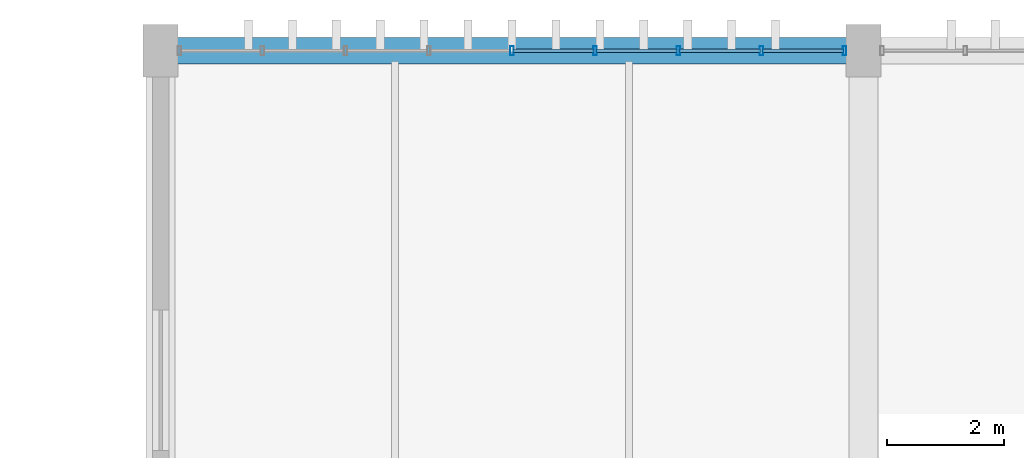
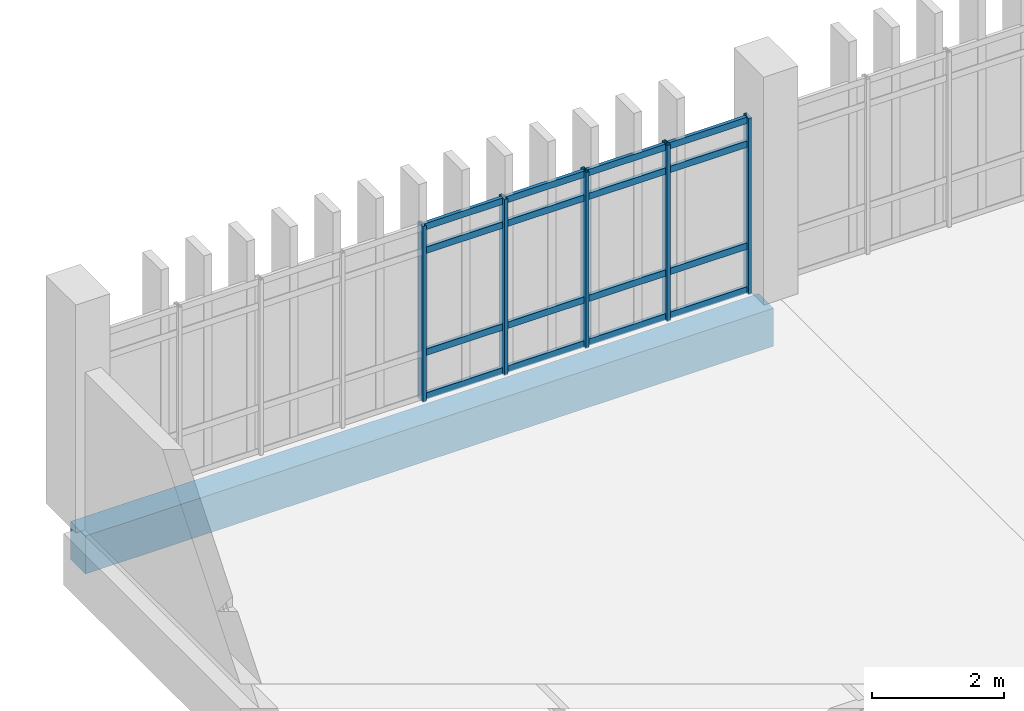
# One storey, part 30 of 111: 21 members, 1 beam, 1 element without a shape of its own.
"""IFC4 building model written with IfcOpenShell, lengths in metres."""

from ifc_helpers import new_model, si_unit, direction, frame, origin, origin_2d, place, context, subcontext, project, spatial, rectangle, hollow_rectangle, extrude, material, layer, layer_set, material_profile, profile_set, type_object, element, aggregate, save


model = new_model("IFC4")

# Units and contexts
model_context = context("Model", 3, precision=1e-05, world=origin(), true_north=direction((0.0, 1.0)))
body_context = subcontext(model_context, "Body", "Model", "MODEL_VIEW")
ifc_project = project(units=[si_unit("LENGTHUNIT", "METRE"), si_unit("AREAUNIT", "SQUARE_METRE"), si_unit("VOLUMEUNIT", "CUBIC_METRE"), si_unit("PLANEANGLEUNIT", "RADIAN"), si_unit("MASSUNIT", "GRAM", prefix="KILO")], contexts=[model_context])

# Site, building, storey
site_placement = place(None, origin())
site = spatial("IfcSite", under=ifc_project, at=site_placement, CompositionType="ELEMENT")
building_placement = place(site_placement, origin())
building = spatial("IfcBuilding", under=site, at=building_placement, Name="Mersad Railyard Sports Hall", CompositionType="ELEMENT")
storey_placement = place(building_placement, frame((0.0, 0.0, 9.0)))
storey = spatial("IfcBuildingStorey", under=building, at=storey_placement, Name="L02", CompositionType="ELEMENT", Elevation=9.0)

# Curtain wall, members
ifc_material_1 = material(Name="Aluminium 6063-T6", Category="aluminium")
ifc_layer = layer(ifc_material_1, 0.159912109375)
ifc_layer_set = layer_set([ifc_layer], Name="Aluminium 6063-T6")
curtain_wall_type = type_object("IfcCurtainWallType", Name="ARC-CW-CW52", PredefinedType="USERDEFINED", material=ifc_layer_set)
curtain_wall_placement = place(storey_placement, origin())
curtain_wall = element("IfcCurtainWall", 1, at=curtain_wall_placement, inside=storey, type_object=curtain_wall_type, Name="Curtain wall CW52-0138", ObjectType="CURTAIN WALL", PredefinedType="USERDEFINED")
ifc_material_profile_1 = material_profile(ifc_material_1, hollow_rectangle(XDim=0.06005859375, YDim=0.159912109375, WallThickness=0.00390625, at=origin_2d()), Name="AL MULLION 60x160x4")
ifc_profile_set_1 = profile_set([ifc_material_profile_1], Name="Aluminium 6063-T6")
member_type_1 = type_object("IfcMemberType", Name="ARC-CW-MUL01", PredefinedType="MULLION", material=ifc_profile_set_1)
member_1_placement = place(storey_placement, frame((49.0, 115.0, -0.02001953125), z_axis=(0.0, 0.0, 1.0), x_axis=(1.0, 0.0, 0.0)))
member_1 = element("IfcMember", 2, at=member_1_placement, type_object=member_type_1, Name="CW52 Mullion 5", PredefinedType="MULLION", context=body_context, shape_type="SweptSolid", body=[
    extrude(hollow_rectangle(XDim=0.06005859375, YDim=0.159912109375, WallThickness=0.00390625, at=origin_2d()), origin(), (0.0, 0.0, 1.0), 3.25),
])
member_2_placement = place(storey_placement, frame((50.419921875, 115.0, -0.02001953125), z_axis=(0.0, 0.0, 1.0), x_axis=(1.0, 0.0, 0.0)))
member_2 = element("IfcMember", 3, at=member_2_placement, type_object=member_type_1, Name="CW52 Mullion 6", PredefinedType="MULLION", context=body_context, shape_type="SweptSolid", body=[
    extrude(hollow_rectangle(XDim=0.06005859375, YDim=0.159912109375, WallThickness=0.00390625, at=origin_2d()), origin(), (0.0, 0.0, 1.0), 3.25),
])
member_3_placement = place(storey_placement, frame((51.840087890625, 115.0, -0.02001953125), z_axis=(0.0, 0.0, 1.0), x_axis=(1.0, 0.0, 0.0)))
member_3 = element("IfcMember", 4, at=member_3_placement, type_object=member_type_1, Name="CW52 Mullion 7", PredefinedType="MULLION", context=body_context, shape_type="SweptSolid", body=[
    extrude(hollow_rectangle(XDim=0.06005859375, YDim=0.159912109375, WallThickness=0.00390625, at=origin_2d()), origin(), (0.0, 0.0, 1.0), 3.25),
])
member_4_placement = place(storey_placement, frame((53.260009765625, 115.0, -0.02001953125), z_axis=(0.0, 0.0, 1.0), x_axis=(1.0, 0.0, 0.0)))
member_4 = element("IfcMember", 5, at=member_4_placement, type_object=member_type_1, Name="CW52 Mullion 8", PredefinedType="MULLION", context=body_context, shape_type="SweptSolid", body=[
    extrude(hollow_rectangle(XDim=0.06005859375, YDim=0.159912109375, WallThickness=0.00390625, at=origin_2d()), origin(), (0.0, 0.0, 1.0), 3.25),
])
member_5_placement = place(storey_placement, frame((54.679931640625, 115.0, -0.02001953125), z_axis=(0.0, 0.0, 1.0), x_axis=(1.0, 0.0, 0.0)))
member_5 = element("IfcMember", 6, at=member_5_placement, type_object=member_type_1, Name="CW52 Mullion 9", PredefinedType="MULLION", context=body_context, shape_type="SweptSolid", body=[
    extrude(hollow_rectangle(XDim=0.06005859375, YDim=0.159912109375, WallThickness=0.00390625, at=origin_2d()), origin(), (0.0, 0.0, 1.0), 3.25),
])
ifc_material_profile_2 = material_profile(ifc_material_1, hollow_rectangle(XDim=0.06005859375, YDim=0.1201171875, WallThickness=0.00390625, at=origin_2d()), Name="AL TRANSOM 60x120x4")
ifc_profile_set_2 = profile_set([ifc_material_profile_2], Name="Aluminium 6063-T6")
member_type_2 = type_object("IfcMemberType", Name="ARC-CW-TRN01", PredefinedType="USERDEFINED", material=ifc_profile_set_2)
member_6_placement = place(storey_placement, frame((49.02001953125, 115.0, 0.0400390625), z_axis=(1.0, 0.0, 0.0), x_axis=(0.0, 1.0, 0.0)))
member_6 = element("IfcMember", 7, at=member_6_placement, type_object=member_type_2, Name="CW52 Transom 1-5", ObjectType="TRANSOM", PredefinedType="USERDEFINED", context=body_context, shape_type="SweptSolid", body=[
    extrude(hollow_rectangle(XDim=0.06005859375, YDim=0.1201171875, WallThickness=0.00390625, at=origin_2d()), origin(), (0.0, 0.0, 1.0), 1.3798828125),
])
member_7_placement = place(storey_placement, frame((50.43994140625, 115.0, 0.0400390625), z_axis=(1.0, 0.0, 0.0), x_axis=(0.0, 1.0, 0.0)))
member_7 = element("IfcMember", 8, at=member_7_placement, type_object=member_type_2, Name="CW52 Transom 1-6", ObjectType="TRANSOM", PredefinedType="USERDEFINED", context=body_context, shape_type="SweptSolid", body=[
    extrude(hollow_rectangle(XDim=0.06005859375, YDim=0.1201171875, WallThickness=0.00390625, at=origin_2d()), origin(), (0.0, 0.0, 1.0), 1.380126953125),
])
member_8_placement = place(storey_placement, frame((51.860107421875, 115.0, 0.0400390625), z_axis=(1.0, 0.0, 0.0), x_axis=(0.0, 1.0, 0.0)))
member_8 = element("IfcMember", 9, at=member_8_placement, type_object=member_type_2, Name="CW52 Transom 1-7", ObjectType="TRANSOM", PredefinedType="USERDEFINED", context=body_context, shape_type="SweptSolid", body=[
    extrude(hollow_rectangle(XDim=0.06005859375, YDim=0.1201171875, WallThickness=0.00390625, at=origin_2d()), origin(), (0.0, 0.0, 1.0), 1.3798828125),
])
member_9_placement = place(storey_placement, frame((53.280029296875, 115.0, 0.0400390625), z_axis=(1.0, 0.0, 0.0), x_axis=(0.0, 1.0, 0.0)))
member_9 = element("IfcMember", 10, at=member_9_placement, type_object=member_type_2, Name="CW52 Transom 1-8", ObjectType="TRANSOM", PredefinedType="USERDEFINED", context=body_context, shape_type="SweptSolid", body=[
    extrude(hollow_rectangle(XDim=0.06005859375, YDim=0.1201171875, WallThickness=0.00390625, at=origin_2d()), origin(), (0.0, 0.0, 1.0), 1.3798828125),
])
member_10_placement = place(storey_placement, frame((49.02001953125, 115.0, 0.85009765625), z_axis=(1.0, 0.0, 0.0), x_axis=(0.0, 1.0, 0.0)))
member_10 = element("IfcMember", 11, at=member_10_placement, type_object=member_type_2, Name="CW52 Transom 2-5", ObjectType="TRANSOM", PredefinedType="USERDEFINED", context=body_context, shape_type="SweptSolid", body=[
    extrude(hollow_rectangle(XDim=0.06005859375, YDim=0.1201171875, WallThickness=0.00390625, at=origin_2d()), origin(), (0.0, 0.0, 1.0), 1.3798828125),
])
member_11_placement = place(storey_placement, frame((50.43994140625, 115.0, 0.85009765625), z_axis=(1.0, 0.0, 0.0), x_axis=(0.0, 1.0, 0.0)))
member_11 = element("IfcMember", 12, at=member_11_placement, type_object=member_type_2, Name="CW52 Transom 2-6", ObjectType="TRANSOM", PredefinedType="USERDEFINED", context=body_context, shape_type="SweptSolid", body=[
    extrude(hollow_rectangle(XDim=0.06005859375, YDim=0.1201171875, WallThickness=0.00390625, at=origin_2d()), origin(), (0.0, 0.0, 1.0), 1.380126953125),
])
member_12_placement = place(storey_placement, frame((51.860107421875, 115.0, 0.85009765625), z_axis=(1.0, 0.0, 0.0), x_axis=(0.0, 1.0, 0.0)))
member_12 = element("IfcMember", 13, at=member_12_placement, type_object=member_type_2, Name="CW52 Transom 2-7", ObjectType="TRANSOM", PredefinedType="USERDEFINED", context=body_context, shape_type="SweptSolid", body=[
    extrude(hollow_rectangle(XDim=0.06005859375, YDim=0.1201171875, WallThickness=0.00390625, at=origin_2d()), origin(), (0.0, 0.0, 1.0), 1.3798828125),
])
member_13_placement = place(storey_placement, frame((53.280029296875, 115.0, 0.85009765625), z_axis=(1.0, 0.0, 0.0), x_axis=(0.0, 1.0, 0.0)))
member_13 = element("IfcMember", 14, at=member_13_placement, type_object=member_type_2, Name="CW52 Transom 2-8", ObjectType="TRANSOM", PredefinedType="USERDEFINED", context=body_context, shape_type="SweptSolid", body=[
    extrude(hollow_rectangle(XDim=0.06005859375, YDim=0.1201171875, WallThickness=0.00390625, at=origin_2d()), origin(), (0.0, 0.0, 1.0), 1.3798828125),
])
member_14_placement = place(storey_placement, frame((49.02001953125, 115.0, 2.72998046875), z_axis=(1.0, 0.0, 0.0), x_axis=(0.0, 1.0, 0.0)))
member_14 = element("IfcMember", 15, at=member_14_placement, type_object=member_type_2, Name="CW52 Transom 3-5", ObjectType="TRANSOM", PredefinedType="USERDEFINED", context=body_context, shape_type="SweptSolid", body=[
    extrude(hollow_rectangle(XDim=0.06005859375, YDim=0.1201171875, WallThickness=0.00390625, at=origin_2d()), origin(), (0.0, 0.0, 1.0), 1.3798828125),
])
member_15_placement = place(storey_placement, frame((50.43994140625, 115.0, 2.72998046875), z_axis=(1.0, 0.0, 0.0), x_axis=(0.0, 1.0, 0.0)))
member_15 = element("IfcMember", 16, at=member_15_placement, type_object=member_type_2, Name="CW52 Transom 3-6", ObjectType="TRANSOM", PredefinedType="USERDEFINED", context=body_context, shape_type="SweptSolid", body=[
    extrude(hollow_rectangle(XDim=0.06005859375, YDim=0.1201171875, WallThickness=0.00390625, at=origin_2d()), origin(), (0.0, 0.0, 1.0), 1.380126953125),
])
member_16_placement = place(storey_placement, frame((51.860107421875, 115.0, 2.72998046875), z_axis=(1.0, 0.0, 0.0), x_axis=(0.0, 1.0, 0.0)))
member_16 = element("IfcMember", 17, at=member_16_placement, type_object=member_type_2, Name="CW52 Transom 3-7", ObjectType="TRANSOM", PredefinedType="USERDEFINED", context=body_context, shape_type="SweptSolid", body=[
    extrude(hollow_rectangle(XDim=0.06005859375, YDim=0.1201171875, WallThickness=0.00390625, at=origin_2d()), origin(), (0.0, 0.0, 1.0), 1.3798828125),
])
member_17_placement = place(storey_placement, frame((53.280029296875, 115.0, 2.72998046875), z_axis=(1.0, 0.0, 0.0), x_axis=(0.0, 1.0, 0.0)))
member_17 = element("IfcMember", 18, at=member_17_placement, type_object=member_type_2, Name="CW52 Transom 3-8", ObjectType="TRANSOM", PredefinedType="USERDEFINED", context=body_context, shape_type="SweptSolid", body=[
    extrude(hollow_rectangle(XDim=0.06005859375, YDim=0.1201171875, WallThickness=0.00390625, at=origin_2d()), origin(), (0.0, 0.0, 1.0), 1.3798828125),
])
member_18_placement = place(storey_placement, frame((49.02001953125, 115.0, 3.169921875), z_axis=(1.0, 0.0, 0.0), x_axis=(0.0, 1.0, 0.0)))
member_18 = element("IfcMember", 19, at=member_18_placement, type_object=member_type_2, Name="CW52 Transom 4-5", ObjectType="TRANSOM", PredefinedType="USERDEFINED", context=body_context, shape_type="SweptSolid", body=[
    extrude(hollow_rectangle(XDim=0.06005859375, YDim=0.1201171875, WallThickness=0.00390625, at=origin_2d()), origin(), (0.0, 0.0, 1.0), 1.3798828125),
])
member_19_placement = place(storey_placement, frame((50.43994140625, 115.0, 3.169921875), z_axis=(1.0, 0.0, 0.0), x_axis=(0.0, 1.0, 0.0)))
member_19 = element("IfcMember", 20, at=member_19_placement, type_object=member_type_2, Name="CW52 Transom 4-6", ObjectType="TRANSOM", PredefinedType="USERDEFINED", context=body_context, shape_type="SweptSolid", body=[
    extrude(hollow_rectangle(XDim=0.06005859375, YDim=0.1201171875, WallThickness=0.00390625, at=origin_2d()), origin(), (0.0, 0.0, 1.0), 1.380126953125),
])
member_20_placement = place(storey_placement, frame((51.860107421875, 115.0, 3.169921875), z_axis=(1.0, 0.0, 0.0), x_axis=(0.0, 1.0, 0.0)))
member_20 = element("IfcMember", 21, at=member_20_placement, type_object=member_type_2, Name="CW52 Transom 4-7", ObjectType="TRANSOM", PredefinedType="USERDEFINED", context=body_context, shape_type="SweptSolid", body=[
    extrude(hollow_rectangle(XDim=0.06005859375, YDim=0.1201171875, WallThickness=0.00390625, at=origin_2d()), origin(), (0.0, 0.0, 1.0), 1.3798828125),
])
member_21_placement = place(storey_placement, frame((53.280029296875, 115.0, 3.169921875), z_axis=(1.0, 0.0, 0.0), x_axis=(0.0, 1.0, 0.0)))
member_21 = element("IfcMember", 22, at=member_21_placement, type_object=member_type_2, Name="CW52 Transom 4-8", ObjectType="TRANSOM", PredefinedType="USERDEFINED", context=body_context, shape_type="SweptSolid", body=[
    extrude(hollow_rectangle(XDim=0.06005859375, YDim=0.1201171875, WallThickness=0.00390625, at=origin_2d()), origin(), (0.0, 0.0, 1.0), 1.3798828125),
])
aggregate(curtain_wall, [member_1, member_2, member_3, member_4, member_5, member_6, member_7, member_8, member_9, member_10, member_11, member_12, member_13, member_14, member_15, member_16, member_17, member_18, member_19, member_20, member_21])

# Beam
ifc_material_2 = material(Name="Architectural concrete C40/50", Category="concrete")
ifc_material_profile_3 = material_profile(ifc_material_2, rectangle(XDim=0.449951171875, YDim=0.699951171875, at=origin_2d()), Name="RC 450x700")
ifc_profile_set_3 = profile_set([ifc_material_profile_3], Name="Architectural concrete C40/50")
beam_type = type_object("IfcBeamType", Name="STR-BM-SP01", PredefinedType="SPANDREL", material=ifc_profile_set_3)
beam_placement = place(storey_placement, frame((43.0, 115.0, -0.64990234375), z_axis=(1.0, 0.0, 0.0), x_axis=(0.0, 1.0, 0.0)))
element("IfcBeam", 23, at=beam_placement, inside=storey, type_object=beam_type, Name="Beam SP01-1089", PredefinedType="SPANDREL", context=body_context, shape_type="SweptSolid", body=[
    extrude(rectangle(XDim=0.449951171875, YDim=0.699951171875, at=origin_2d()), origin(), (0.0, 0.0, 1.0), 12.0),
])

save(model, "model.ifc")
